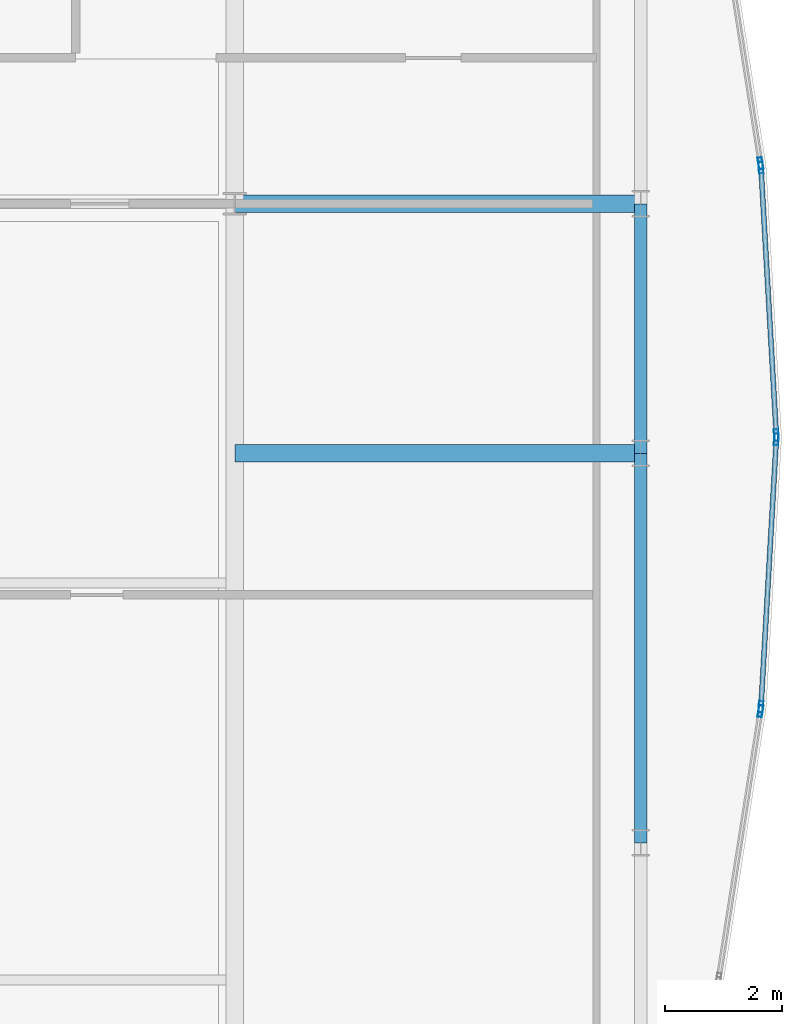
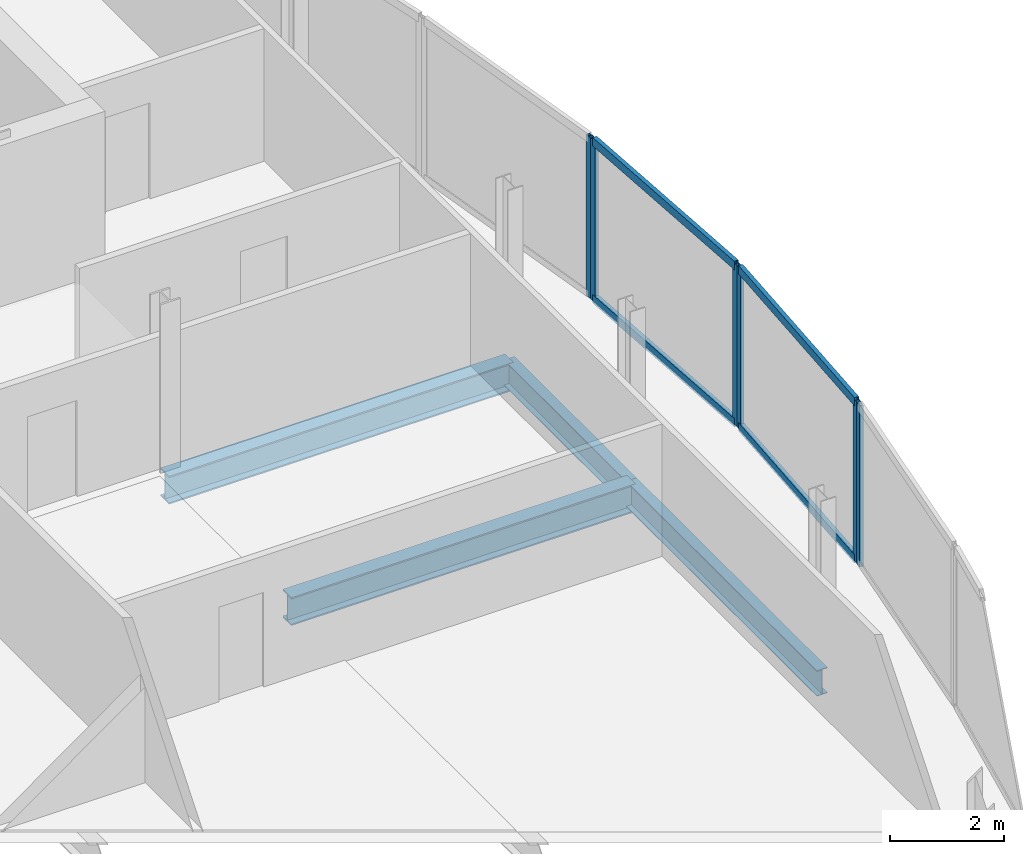
# One storey, part 18 of 29: 10 members, 4 beams, 4 elements without a shape of their own.
"""IFC4 building model written with IfcOpenShell, lengths in metres."""

import ifcopenshell
import ifcopenshell.guid

model = None  # the IFC model being written
_history = None  # IfcOwnerHistory: only IFC2X3 demands one
_inside = {}  # id of a spatial element -> (the spatial element, [elements in it])
_under = {}  # id of a project, library or spatial element -> (it, [spatial elements below it])
_declared = {}  # id of a project -> (the project, [libraries it declares])
_typed = {}  # id of a type object -> (the type object, [elements of that type])
_made_of = {}  # id of a material, layer set ... -> (it, [elements and type objects made of it])


def new_model(schema):
    """Start an empty IFC model of exactly this schema.

    Asked for "IFC4X3", IfcOpenShell would pick the latest addendum, in which some entities
    have other attributes; the version numbers below select the first issue.
    IFC2X3 requires an IfcOwnerHistory on every rooted entity: one is made here for all.
    """
    global model, _history
    if schema == "IFC4X3":
        model = ifcopenshell.file(schema_version=(4, 3, 0, 0))
    else:
        model = ifcopenshell.file(schema=schema)
    _inside.clear()
    _under.clear()
    _declared.clear()
    _typed.clear()
    _made_of.clear()
    _history = None
    if model.schema == "IFC2X3":
        org = make("IfcOrganization", Name="unknown")
        user = make(
            "IfcPersonAndOrganization",
            ThePerson=make("IfcPerson", FamilyName="unknown"),
            TheOrganization=org,
        )
        app = make(
            "IfcApplication",
            ApplicationDeveloper=org,
            Version="unknown",
            ApplicationFullName="unknown",
            ApplicationIdentifier="unknown",
        )
        _history = make(
            "IfcOwnerHistory",
            OwningUser=user,
            OwningApplication=app,
            ChangeAction="ADDED",
            CreationDate=0,
        )
    return model


def make(cls, **values):
    """One entity of the class cls with the attributes given. An attribute that is None is left unset."""
    return model.create_entity(
        cls, **{name: value for name, value in values.items() if value is not None}
    )


def rooted(cls, **values):
    """An entity with a GlobalId (a new one), such as an element, a storey or a relation."""
    return make(cls, GlobalId=ifcopenshell.guid.new(), OwnerHistory=_history, **values)


def si_unit(unit_type, name, prefix=None):
    """IfcSIUnit, for example si_unit("LENGTHUNIT", "METRE", prefix="MILLI")."""
    return make("IfcSIUnit", UnitType=unit_type, Prefix=prefix, Name=name)


def assignment(units):
    """IfcUnitAssignment: the units of a project."""
    return None if units is None else make("IfcUnitAssignment", Units=units)


def point(xyz):
    """IfcCartesianPoint."""
    return None if xyz is None else make("IfcCartesianPoint", Coordinates=xyz)


def direction(xyz):
    """IfcDirection."""
    return None if xyz is None else make("IfcDirection", DirectionRatios=xyz)


def frame(location, z_axis=None, x_axis=None):
    """IfcAxis2Placement3D, a coordinate frame: its origin and axes. An axis left out is left unset."""
    return make(
        "IfcAxis2Placement3D",
        Location=point(location),
        Axis=direction(z_axis),
        RefDirection=direction(x_axis),
    )


def frame_2d(location, x_axis=None):
    """IfcAxis2Placement2D, a coordinate frame in the plane: its origin and x axis."""
    return make(
        "IfcAxis2Placement2D", Location=point(location), RefDirection=direction(x_axis)
    )


def origin():
    """The frame at (0, 0, 0) with its axes left unset."""
    return frame((0.0, 0.0, 0.0))


def origin_2d():
    """The frame at (0, 0) in the plane with its x axis left unset."""
    return frame_2d((0.0, 0.0))


def place(relative_to, where):
    """IfcLocalPlacement: puts the frame where relative to a parent placement (None: the world)."""
    return make(
        "IfcLocalPlacement", PlacementRelTo=relative_to, RelativePlacement=where
    )


def context(
    kind, dimensions, precision=None, world=None, true_north=None, identifier=None
):
    """IfcGeometricRepresentationContext, for example the 3D "Model" context."""
    return make(
        "IfcGeometricRepresentationContext",
        ContextIdentifier=identifier,
        ContextType=kind,
        CoordinateSpaceDimension=dimensions,
        Precision=precision,
        WorldCoordinateSystem=world,
        TrueNorth=true_north,
    )


def subcontext(parent, identifier, kind, view, scale=None):
    """IfcGeometricRepresentationSubContext, for example "Body" below "Model"."""
    return make(
        "IfcGeometricRepresentationSubContext",
        ContextIdentifier=identifier,
        ContextType=kind,
        ParentContext=parent,
        TargetScale=scale,
        TargetView=view,
    )


def project(units=None, contexts=None):
    """IfcProject with its units and contexts."""
    return rooted(
        "IfcProject",
        Name="project",
        RepresentationContexts=contexts,
        UnitsInContext=assignment(units),
    )


def spatial(cls, under=None, at=None, **own):
    """A site, building, storey or space (cls), placed at a placement, below another one or the project."""
    s = rooted(cls, ObjectPlacement=at, **own)
    if under is not None:
        _under.setdefault(under.id(), (under, []))[1].append(s)
    return s


def profile(cls, at=None, kind="AREA", **sizes):
    """A parametric profile (cls). Its sizes go by their IFC names, for example OverallWidth=200.0."""
    return make(cls, ProfileType=kind, Position=at, **sizes)


def hollow_rectangle(**sizes):
    """IfcRectangleHollowProfileDef."""
    return profile("IfcRectangleHollowProfileDef", **sizes)


def i_section(**sizes):
    """IfcIShapeProfileDef."""
    return profile("IfcIShapeProfileDef", **sizes)


def extrude(swept, where, along, depth):
    """IfcExtrudedAreaSolid: the profile swept, set in the frame where, extruded along a direction by depth."""
    return make(
        "IfcExtrudedAreaSolid",
        SweptArea=swept,
        Position=where,
        ExtrudedDirection=direction(along),
        Depth=depth,
    )


def shape(context_of_items, identifier, shape_type, items):
    """IfcShapeRepresentation: the items that make up one representation, for example the "Body"."""
    return make(
        "IfcShapeRepresentation",
        ContextOfItems=context_of_items,
        RepresentationIdentifier=identifier,
        RepresentationType=shape_type,
        Items=items,
    )


def material(Name=None, Category=None):
    """IfcMaterial."""
    return make("IfcMaterial", Name=Name, Category=Category)


def material_profile(
    of_material, cross_section, Name=None, Category=None, Priority=None
):
    """IfcMaterialProfile: a cross section and its material."""
    return make(
        "IfcMaterialProfile",
        Name=Name,
        Material=of_material,
        Profile=cross_section,
        Priority=Priority,
        Category=Category,
    )


def profile_set(profiles, Name=None, composite=None):
    """IfcMaterialProfileSet."""
    return make(
        "IfcMaterialProfileSet",
        Name=Name,
        MaterialProfiles=profiles,
        CompositeProfile=composite,
    )


def made_of(thing, what):
    """Note that an element or type object is made of a material, layer set ...; save() writes the relation."""
    if what is not None:
        _made_of.setdefault(what.id(), (what, []))[1].append(thing)
    return thing


def type_object(cls, material=None, **own):
    """A type object (cls), such as IfcWallType, which elements share."""
    return made_of(rooted(cls, **own), material)


def element(
    cls,
    number,
    at=None,
    inside=None,
    cuts=None,
    type_object=None,
    material=None,
    context=None,
    identifier="Body",
    shape_type=None,
    held_by="IfcProductDefinitionShape",
    body=None,
    shapes=None,
    **own,
):
    """One element of the class cls, such as IfcWall. Its Tag is "e" and its number.

    at: its placement. inside: the storey or other place that contains it. cuts: it is an
    opening in that element (IfcRelVoidsElement). A single representation is given by context,
    identifier, shape_type and body (its items); several are given by shapes. held_by: the class
    of the entity that holds the representations. save() writes the other relations.
    """
    e = rooted(cls, Tag="e%d" % number, ObjectPlacement=at, **own)
    if body is not None:
        shapes = [shape(context, identifier, shape_type, body)]
    if shapes is not None:
        e.Representation = make(held_by, Representations=shapes)
    if inside is not None:
        _inside.setdefault(inside.id(), (inside, []))[1].append(e)
    if cuts is not None:
        rooted(
            "IfcRelVoidsElement", RelatingBuildingElement=cuts, RelatedOpeningElement=e
        )
    if type_object is not None:
        _typed.setdefault(type_object.id(), (type_object, []))[1].append(e)
    return made_of(e, material)


def aggregate(whole, parts):
    """IfcRelAggregates: a whole, such as a stair, and the parts it consists of."""
    return rooted("IfcRelAggregates", RelatingObject=whole, RelatedObjects=parts)


def save(model, path):
    """Write the relations noted so far, then the file.

    IfcRelAggregates (storeys below a building ...), IfcRelContainedInSpatialStructure (elements
    in a storey), IfcRelDefinesByType, IfcRelAssociatesMaterial and IfcRelDeclares: one each for
    every whole, place, type object, material and project.
    """
    for whole, parts in _under.values():
        aggregate(whole, parts)
    for where, things in _inside.values():
        rooted(
            "IfcRelContainedInSpatialStructure",
            RelatedElements=things,
            RelatingStructure=where,
        )
    for kind, things in _typed.values():
        rooted("IfcRelDefinesByType", RelatedObjects=things, RelatingType=kind)
    for what, things in _made_of.values():
        rooted("IfcRelAssociatesMaterial", RelatedObjects=things, RelatingMaterial=what)
    for by, libraries in _declared.values():
        rooted("IfcRelDeclares", RelatingContext=by, RelatedDefinitions=libraries)
    model.write(path)


model = new_model("IFC4")

# Units and contexts
model_context = context("Model", 3, precision=1e-05, world=origin(), true_north=direction((0.0, 1.0)))
body_context = subcontext(model_context, "Body", "Model", "MODEL_VIEW")
ifc_project = project(units=[si_unit("LENGTHUNIT", "METRE"), si_unit("AREAUNIT", "SQUARE_METRE"), si_unit("VOLUMEUNIT", "CUBIC_METRE"), si_unit("PLANEANGLEUNIT", "RADIAN"), si_unit("MASSUNIT", "GRAM", prefix="KILO")], contexts=[model_context])

# Site, building, storey
site_placement = place(None, origin())
site = spatial("IfcSite", under=ifc_project, at=site_placement, CompositionType="ELEMENT")
building_placement = place(site_placement, origin())
building = spatial("IfcBuilding", under=site, at=building_placement, Name="Khoronbel Lancet Exchange", CompositionType="ELEMENT")
storey_placement = place(building_placement, frame((0.0, 0.0, 329.0)))
storey = spatial("IfcBuildingStorey", under=building, at=storey_placement, Name="L85", CompositionType="ELEMENT", Elevation=329.0)

# Beams
ifc_material_1 = material(Name="Steel S355", Category="steel")
ifc_material_profile_1 = material_profile(ifc_material_1, i_section(OverallWidth=0.300048828125, OverallDepth=0.60009765625, WebThickness=0.015380859375, FlangeThickness=0.030029296875, at=origin_2d()), Name="HEB 600")
ifc_profile_set_1 = profile_set([ifc_material_profile_1], Name="Steel S355")
beam_type_1 = type_object("IfcBeamType", Name="BM-BG5", PredefinedType="BEAM", material=ifc_profile_set_1)
for number, where, z_axis, x_axis, name in (
    (1, (54.675048828125, 31.425048828125, -0.4599609375), (1.0, 0.0, 0.0), (0.0, 1.0, 0.0), "Level L85 east lens tie girder LG2E"),
    (2, (54.675048828125, 35.699951171875, -0.4599609375), (1.0, 0.0, 0.0), (0.0, 1.0, 0.0), "Level L85 east lens tie girder LG4E"),
):
    element("IfcBeam", number, at=place(storey_placement, frame(where, z_axis=z_axis, x_axis=x_axis)), inside=storey, type_object=beam_type_1, Name=name, PredefinedType="BEAM", context=body_context, shape_type="SweptSolid", body=[
        extrude(i_section(OverallWidth=0.300048828125, OverallDepth=0.60009765625, WebThickness=0.015380859375, FlangeThickness=0.030029296875, at=origin_2d()), origin(), (0.0, 0.0, 1.0), 6.954833984375),
    ])
ifc_material_profile_2 = material_profile(ifc_material_1, i_section(OverallWidth=0.2099609375, OverallDepth=0.550048828125, WebThickness=0.010986328125, FlangeThickness=0.01708984375, at=origin_2d()), Name="IPE 550")
ifc_profile_set_2 = profile_set([ifc_material_profile_2], Name="Steel S355")
beam_type_2 = type_object("IfcBeamType", Name="BM-BSP3", PredefinedType="SPANDREL", material=ifc_profile_set_2)
beam_1_placement = place(storey_placement, frame((61.6298828125, 24.75, -0.43505859375), z_axis=(0.0, 1.0, 0.0), x_axis=(-1.0, 0.0, 0.0)))
element("IfcBeam", 3, at=beam_1_placement, inside=storey, type_object=beam_type_2, Name="Level L85 perimeter spandrel beam SP10", PredefinedType="SPANDREL", context=body_context, shape_type="SweptSolid", body=[
    extrude(i_section(OverallWidth=0.2099609375, OverallDepth=0.550048828125, WebThickness=0.010986328125, FlangeThickness=0.01708984375, at=origin_2d()), origin(), (0.0, 0.0, 1.0), 6.675048828125),
])
beam_2_placement = place(storey_placement, frame((61.6298828125, 31.425048828125, -0.43505859375), z_axis=(0.0, 1.0, 0.0), x_axis=(-1.0, 0.0, 0.0)))
element("IfcBeam", 4, at=beam_2_placement, inside=storey, type_object=beam_type_2, Name="Level L85 perimeter spandrel beam SP11", PredefinedType="SPANDREL", context=body_context, shape_type="SweptSolid", body=[
    extrude(i_section(OverallWidth=0.2099609375, OverallDepth=0.550048828125, WebThickness=0.010986328125, FlangeThickness=0.01708984375, at=origin_2d()), origin(), (0.0, 0.0, 1.0), 4.27490234375),
])

# Curtain wall, member
ifc_material_2 = material(Name="Low-E Solar Control Insulating Glass", Category="glass")
curtain_wall_type = type_object("IfcCurtainWallType", Name="CW-4", PredefinedType="NOTDEFINED", material=ifc_material_2)
curtain_wall_1_placement = place(storey_placement, origin())
curtain_wall_1 = element("IfcCurtainWall", 5, at=curtain_wall_1_placement, inside=storey, type_object=curtain_wall_type, Name="Unitised curtain wall CW-L85-E18", PredefinedType="NOTDEFINED")
ifc_material_3 = material(Name="Bronze-Anodised Aluminium 6063-T6", Category="aluminium")
ifc_material_profile_3 = material_profile(ifc_material_3, hollow_rectangle(XDim=0.074951171875, YDim=0.199951171875, WallThickness=0.0048828125, at=origin_2d()), Name="ALU MULLION 75x200")
ifc_profile_set_3 = profile_set([ifc_material_profile_3], Name="Bronze-Anodised Aluminium 6063-T6")
member_type_1 = type_object("IfcMemberType", Name="MEM-CWM2", PredefinedType="MULLION", material=ifc_profile_set_3)
member_1_placement = place(storey_placement, frame((63.68310546875, 36.39404296875, 0.0), z_axis=(0.0, 0.0, 1.0), x_axis=(0.987966514912, 0.154667919789, 0.0)))
member_1 = element("IfcMember", 6, at=member_1_placement, type_object=member_type_1, Name="CW4 mullion 2", PredefinedType="MULLION", context=body_context, shape_type="SweptSolid", body=[
    extrude(hollow_rectangle(XDim=0.074951171875, YDim=0.199951171875, WallThickness=0.0048828125, at=origin_2d()), origin(), (0.0, 0.0, 1.0), 3.43994140625),
])
aggregate(curtain_wall_1, [member_1])

# Curtain wall, members
curtain_wall_2_placement = place(storey_placement, origin())
curtain_wall_2 = element("IfcCurtainWall", 7, at=curtain_wall_2_placement, inside=storey, type_object=curtain_wall_type, Name="Unitised curtain wall CW-L85-E19", PredefinedType="NOTDEFINED")
member_2_placement = place(storey_placement, frame((63.691162109375, 36.319580078125, 0.0), z_axis=(0.0, 0.0, 1.0), x_axis=(0.998361796649, 0.057216457355, 0.0)))
member_2 = element("IfcMember", 8, at=member_2_placement, type_object=member_type_1, Name="CW4 mullion 1", PredefinedType="MULLION", context=body_context, shape_type="SweptSolid", body=[
    extrude(hollow_rectangle(XDim=0.074951171875, YDim=0.199951171875, WallThickness=0.0048828125, at=origin_2d()), origin(), (0.0, 0.0, 1.0), 3.43994140625),
])
member_3_placement = place(storey_placement, frame((63.95361328125, 31.737548828125, 0.0), z_axis=(0.0, 0.0, 1.0), x_axis=(0.998361796649, 0.057216457355, 0.0)))
member_3 = element("IfcMember", 9, at=member_3_placement, type_object=member_type_1, Name="CW4 mullion 2", PredefinedType="MULLION", context=body_context, shape_type="SweptSolid", body=[
    extrude(hollow_rectangle(XDim=0.074951171875, YDim=0.199951171875, WallThickness=0.0048828125, at=origin_2d()), origin(), (0.0, 0.0, 1.0), 3.43994140625),
])

curtain_wall_3_placement = place(storey_placement, origin())
curtain_wall_3 = element("IfcCurtainWall", 10, at=curtain_wall_3_placement, inside=storey, type_object=curtain_wall_type, Name="Unitised curtain wall CW-L85-E20", PredefinedType="NOTDEFINED")
member_4_placement = place(storey_placement, frame((63.95361328125, 31.66259765625, 0.0), z_axis=(0.0, 0.0, 1.0), x_axis=(0.998361796649, -0.057216457355, 0.0)))
member_4 = element("IfcMember", 11, at=member_4_placement, type_object=member_type_1, Name="CW4 mullion 1", PredefinedType="MULLION", context=body_context, shape_type="SweptSolid", body=[
    extrude(hollow_rectangle(XDim=0.074951171875, YDim=0.199951171875, WallThickness=0.0048828125, at=origin_2d()), origin(), (0.0, 0.0, 1.0), 3.43994140625),
])
member_5_placement = place(storey_placement, frame((63.691162109375, 27.080322265625, 0.0), z_axis=(0.0, 0.0, 1.0), x_axis=(0.998361796649, -0.057216457355, 0.0)))
member_5 = element("IfcMember", 12, at=member_5_placement, type_object=member_type_1, Name="CW4 mullion 2", PredefinedType="MULLION", context=body_context, shape_type="SweptSolid", body=[
    extrude(hollow_rectangle(XDim=0.074951171875, YDim=0.199951171875, WallThickness=0.0048828125, at=origin_2d()), origin(), (0.0, 0.0, 1.0), 3.43994140625),
])

# Curtain wall, member
curtain_wall_4_placement = place(storey_placement, origin())
curtain_wall_4 = element("IfcCurtainWall", 13, at=curtain_wall_4_placement, inside=storey, type_object=curtain_wall_type, Name="Unitised curtain wall CW-L85-E21", PredefinedType="NOTDEFINED")
member_6_placement = place(storey_placement, frame((63.68310546875, 27.005859375, 0.0), z_axis=(0.0, 0.0, 1.0), x_axis=(0.987966514912, -0.154667919789, 0.0)))
member_6 = element("IfcMember", 14, at=member_6_placement, type_object=member_type_1, Name="CW4 mullion 1", PredefinedType="MULLION", context=body_context, shape_type="SweptSolid", body=[
    extrude(hollow_rectangle(XDim=0.074951171875, YDim=0.199951171875, WallThickness=0.0048828125, at=origin_2d()), origin(), (0.0, 0.0, 1.0), 3.43994140625),
])
aggregate(curtain_wall_4, [member_6])

# Member
ifc_material_profile_4 = material_profile(ifc_material_3, hollow_rectangle(XDim=0.0849609375, YDim=0.179931640625, WallThickness=0.0048828125, at=origin_2d()), Name="ALU TRANSOM 85x180")
ifc_profile_set_4 = profile_set([ifc_material_profile_4], Name="Bronze-Anodised Aluminium 6063-T6")
member_type_2 = type_object("IfcMemberType", Name="MEM-CWT1", PredefinedType="USERDEFINED", material=ifc_profile_set_4)
member_7_placement = place(storey_placement, frame((63.693115234375, 36.2822265625, 0.04248046875), z_axis=(0.057213031555, -0.998361992977, 0.0), x_axis=(0.998361992977, 0.057213031555, 0.0)))
member_7 = element("IfcMember", 15, at=member_7_placement, type_object=member_type_2, Name="CW4 transom 1.1", ObjectType="TRANSOM", PredefinedType="USERDEFINED", context=body_context, shape_type="SweptSolid", body=[
    extrude(hollow_rectangle(XDim=0.0849609375, YDim=0.179931640625, WallThickness=0.0048828125, at=origin_2d()), origin(), (0.0, 0.0, 1.0), 4.5146484375),
])

member_8_placement = place(storey_placement, frame((63.693115234375, 36.2822265625, 3.3974609375), z_axis=(0.057213031555, -0.998361992977, 0.0), x_axis=(0.998361992977, 0.057213031555, 0.0)))
member_8 = element("IfcMember", 16, at=member_8_placement, type_object=member_type_2, Name="CW4 transom 1.2", ObjectType="TRANSOM", PredefinedType="USERDEFINED", context=body_context, shape_type="SweptSolid", body=[
    extrude(hollow_rectangle(XDim=0.0849609375, YDim=0.179931640625, WallThickness=0.0048828125, at=origin_2d()), origin(), (0.0, 0.0, 1.0), 4.5146484375),
])

aggregate(curtain_wall_2, [member_2, member_3, member_7, member_8])

member_9_placement = place(storey_placement, frame((63.951416015625, 31.625244140625, 0.04248046875), z_axis=(-0.057209942904, -0.998362169973, 0.0), x_axis=(0.998362169973, -0.057209942904, 0.0)))
member_9 = element("IfcMember", 17, at=member_9_placement, type_object=member_type_2, Name="CW4 transom 1.1", ObjectType="TRANSOM", PredefinedType="USERDEFINED", context=body_context, shape_type="SweptSolid", body=[
    extrude(hollow_rectangle(XDim=0.0849609375, YDim=0.179931640625, WallThickness=0.0048828125, at=origin_2d()), origin(), (0.0, 0.0, 1.0), 4.514892578125),
])

member_10_placement = place(storey_placement, frame((63.951416015625, 31.625244140625, 3.3974609375), z_axis=(-0.057209942904, -0.998362169973, 0.0), x_axis=(0.998362169973, -0.057209942904, 0.0)))
member_10 = element("IfcMember", 18, at=member_10_placement, type_object=member_type_2, Name="CW4 transom 1.2", ObjectType="TRANSOM", PredefinedType="USERDEFINED", context=body_context, shape_type="SweptSolid", body=[
    extrude(hollow_rectangle(XDim=0.0849609375, YDim=0.179931640625, WallThickness=0.0048828125, at=origin_2d()), origin(), (0.0, 0.0, 1.0), 4.514892578125),
])

aggregate(curtain_wall_3, [member_4, member_5, member_9, member_10])

save(model, "model.ifc")
